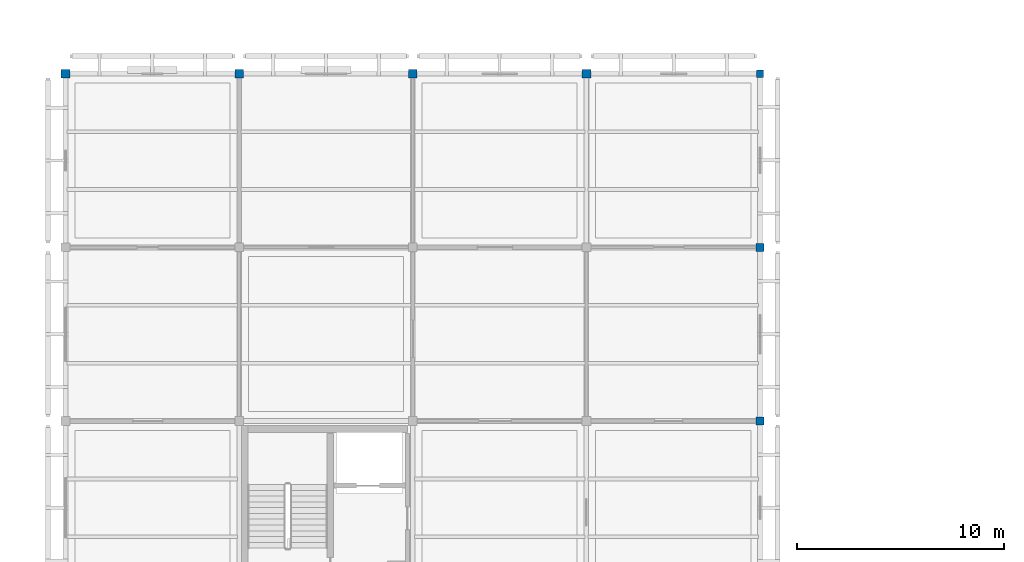
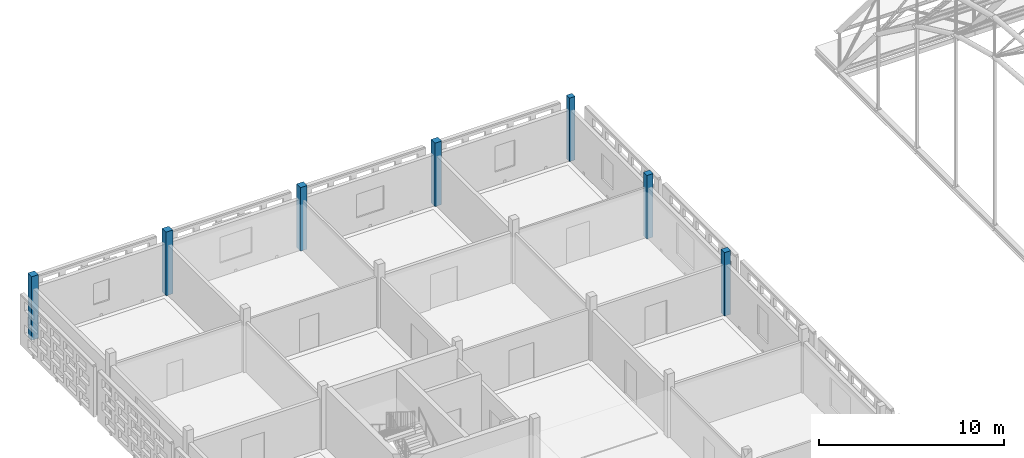
# One storey, part 2 of 103: 7 columns.
"""IFC4 building model written with IfcOpenShell, lengths in metres."""

from ifc_helpers import new_model, si_unit, direction, frame, origin, origin_2d, place, context, subcontext, project, spatial, rectangle, extrude, material, material_profile, profile_set, type_object, element, save


model = new_model("IFC4")

# Units and contexts
model_context = context("Model", 3, precision=1e-05, world=origin(), true_north=direction((0.0, 1.0)))
body_context = subcontext(model_context, "Body", "Model", "MODEL_VIEW")
ifc_project = project(units=[si_unit("LENGTHUNIT", "METRE"), si_unit("AREAUNIT", "SQUARE_METRE"), si_unit("VOLUMEUNIT", "CUBIC_METRE"), si_unit("PLANEANGLEUNIT", "RADIAN"), si_unit("MASSUNIT", "GRAM", prefix="KILO")], contexts=[model_context])

# Site, building, storey
site_placement = place(None, origin())
site = spatial("IfcSite", under=ifc_project, at=site_placement, CompositionType="ELEMENT")
building_placement = place(site_placement, origin())
building = spatial("IfcBuilding", under=site, at=building_placement, Name="Varnapada Polytechnic", CompositionType="ELEMENT")
storey_placement = place(building_placement, frame((0.0, 0.0, 18.0)))
storey = spatial("IfcBuildingStorey", under=building, at=storey_placement, Name="L04", CompositionType="ELEMENT", Elevation=18.0)

# Columns
ifc_material = material(Name="Glulam GL32h", Category="wood")
ifc_material_profile_1 = material_profile(ifc_material, rectangle(XDim=0.419921875, YDim=0.419921875, at=origin_2d()), Name="GL 420x420")
ifc_profile_set_1 = profile_set([ifc_material_profile_1], Name="Glulam GL32h")
column_type_1 = type_object("IfcColumnType", Name="Column C-23 (GL 420x420)", PredefinedType="COLUMN", material=ifc_profile_set_1)
for number, where, z_axis, x_axis, name in (
    (1, (0.0, 126.0, 0.0), (0.0, 0.0, 1.0), (1.0, 0.0, 0.0), "L04 column 1/16"),
    (2, (8.39990234375, 126.0, 0.0), (0.0, 0.0, 1.0), (1.0, 0.0, 0.0), "L04 column 2/16"),
    (3, (16.800048828125, 126.0, 0.0), (0.0, 0.0, 1.0), (1.0, 0.0, 0.0), "L04 column 3/16"),
    (4, (25.199951171875, 126.0, 0.0), (0.0, 0.0, 1.0), (1.0, 0.0, 0.0), "L04 column 4/16"),
):
    element("IfcColumn", number, at=place(storey_placement, frame(where, z_axis=z_axis, x_axis=x_axis)), inside=storey, type_object=column_type_1, Name=name, PredefinedType="COLUMN", context=body_context, shape_type="SweptSolid", body=[
        extrude(rectangle(XDim=0.419921875, YDim=0.419921875, at=origin_2d()), origin(), (0.0, 0.0, 1.0), 4.199951171875),
    ])
ifc_material_profile_2 = material_profile(ifc_material, rectangle(XDim=0.3798828125, YDim=0.3798828125, at=origin_2d()), Name="GL 380x380")
ifc_profile_set_2 = profile_set([ifc_material_profile_2], Name="Glulam GL32h")
column_type_2 = type_object("IfcColumnType", Name="Column C-24 (GL 380x380)", PredefinedType="COLUMN", material=ifc_profile_set_2)
for number, where, z_axis, x_axis, name in (
    (5, (33.60009765625, 109.199951171875, 0.0), (0.0, 0.0, 1.0), (1.0, 0.0, 0.0), "L04 column 5/14"),
    (6, (33.60009765625, 117.60009765625, 0.0), (0.0, 0.0, 1.0), (1.0, 0.0, 0.0), "L04 column 5/15"),
):
    element("IfcColumn", number, at=place(storey_placement, frame(where, z_axis=z_axis, x_axis=x_axis)), inside=storey, type_object=column_type_2, Name=name, PredefinedType="COLUMN", context=body_context, shape_type="SweptSolid", body=[
        extrude(rectangle(XDim=0.3798828125, YDim=0.3798828125, at=origin_2d()), origin(), (0.0, 0.0, 1.0), 4.199951171875),
    ])
ifc_material_profile_3 = material_profile(ifc_material, rectangle(XDim=0.340087890625, YDim=0.340087890625, at=origin_2d()), Name="GL 340x340")
ifc_profile_set_3 = profile_set([ifc_material_profile_3], Name="Glulam GL32h")
column_type_3 = type_object("IfcColumnType", Name="Column C-27 (GL 340x340)", PredefinedType="COLUMN", material=ifc_profile_set_3)
column_placement = place(storey_placement, frame((33.60009765625, 126.0, 0.0), z_axis=(0.0, 0.0, 1.0), x_axis=(1.0, 0.0, 0.0)))
element("IfcColumn", 7, at=column_placement, inside=storey, type_object=column_type_3, Name="L04 column 5/16", PredefinedType="COLUMN", context=body_context, shape_type="SweptSolid", body=[
    extrude(rectangle(XDim=0.340087890625, YDim=0.340087890625, at=origin_2d()), origin(), (0.0, 0.0, 1.0), 4.199951171875),
])

save(model, "model.ifc")
